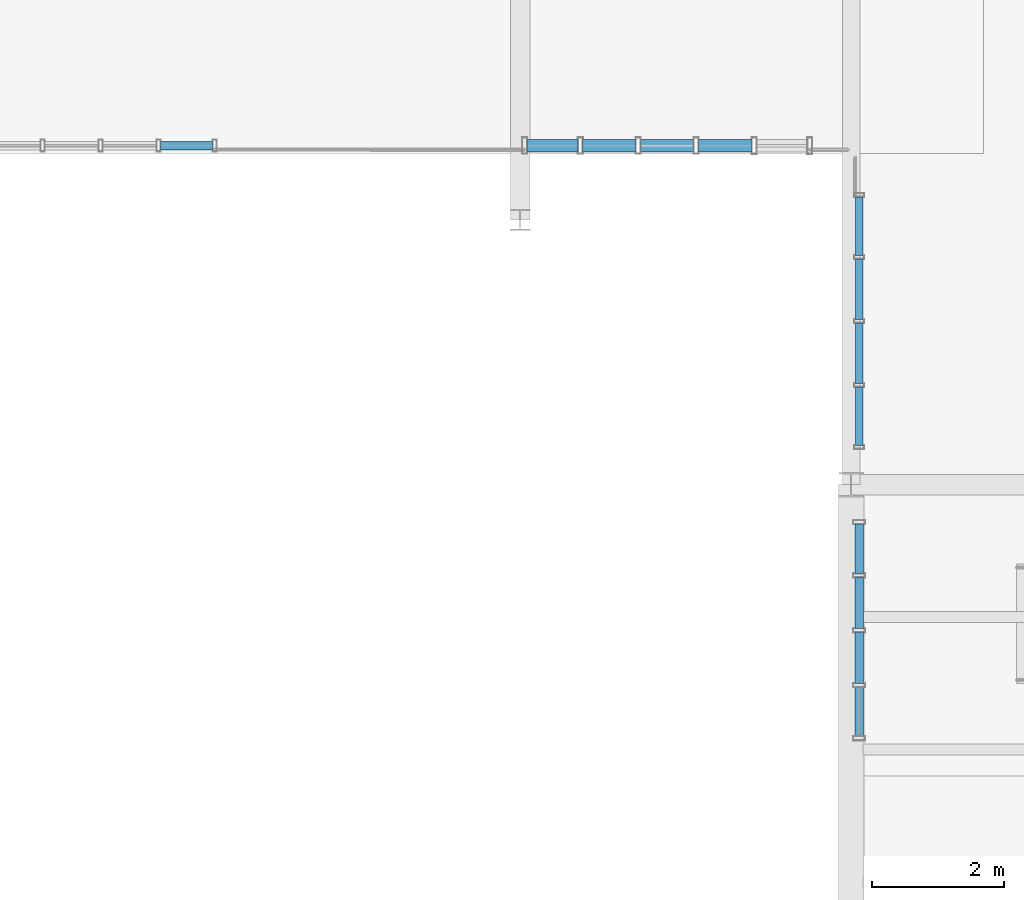
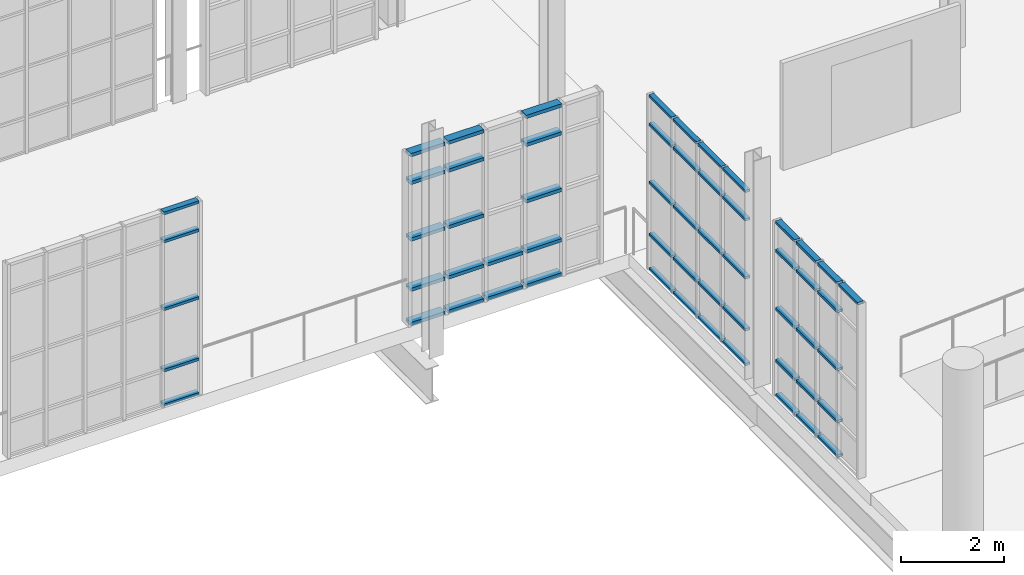
# One storey, part 121 of 189: 58 members, 4 elements without a shape of their own.
"""IFC4 building model written with IfcOpenShell, lengths in metres."""

import ifcopenshell
import ifcopenshell.guid

model = None  # the IFC model being written
_history = None  # IfcOwnerHistory: only IFC2X3 demands one
_inside = {}  # id of a spatial element -> (the spatial element, [elements in it])
_under = {}  # id of a project, library or spatial element -> (it, [spatial elements below it])
_declared = {}  # id of a project -> (the project, [libraries it declares])
_typed = {}  # id of a type object -> (the type object, [elements of that type])
_made_of = {}  # id of a material, layer set ... -> (it, [elements and type objects made of it])


def new_model(schema):
    """Start an empty IFC model of exactly this schema.

    Asked for "IFC4X3", IfcOpenShell would pick the latest addendum, in which some entities
    have other attributes; the version numbers below select the first issue.
    IFC2X3 requires an IfcOwnerHistory on every rooted entity: one is made here for all.
    """
    global model, _history
    if schema == "IFC4X3":
        model = ifcopenshell.file(schema_version=(4, 3, 0, 0))
    else:
        model = ifcopenshell.file(schema=schema)
    _inside.clear()
    _under.clear()
    _declared.clear()
    _typed.clear()
    _made_of.clear()
    _history = None
    if model.schema == "IFC2X3":
        org = make("IfcOrganization", Name="unknown")
        user = make(
            "IfcPersonAndOrganization",
            ThePerson=make("IfcPerson", FamilyName="unknown"),
            TheOrganization=org,
        )
        app = make(
            "IfcApplication",
            ApplicationDeveloper=org,
            Version="unknown",
            ApplicationFullName="unknown",
            ApplicationIdentifier="unknown",
        )
        _history = make(
            "IfcOwnerHistory",
            OwningUser=user,
            OwningApplication=app,
            ChangeAction="ADDED",
            CreationDate=0,
        )
    return model


def make(cls, **values):
    """One entity of the class cls with the attributes given. An attribute that is None is left unset."""
    return model.create_entity(
        cls, **{name: value for name, value in values.items() if value is not None}
    )


def rooted(cls, **values):
    """An entity with a GlobalId (a new one), such as an element, a storey or a relation."""
    return make(cls, GlobalId=ifcopenshell.guid.new(), OwnerHistory=_history, **values)


def si_unit(unit_type, name, prefix=None):
    """IfcSIUnit, for example si_unit("LENGTHUNIT", "METRE", prefix="MILLI")."""
    return make("IfcSIUnit", UnitType=unit_type, Prefix=prefix, Name=name)


def assignment(units):
    """IfcUnitAssignment: the units of a project."""
    return None if units is None else make("IfcUnitAssignment", Units=units)


def point(xyz):
    """IfcCartesianPoint."""
    return None if xyz is None else make("IfcCartesianPoint", Coordinates=xyz)


def direction(xyz):
    """IfcDirection."""
    return None if xyz is None else make("IfcDirection", DirectionRatios=xyz)


def frame(location, z_axis=None, x_axis=None):
    """IfcAxis2Placement3D, a coordinate frame: its origin and axes. An axis left out is left unset."""
    return make(
        "IfcAxis2Placement3D",
        Location=point(location),
        Axis=direction(z_axis),
        RefDirection=direction(x_axis),
    )


def frame_2d(location, x_axis=None):
    """IfcAxis2Placement2D, a coordinate frame in the plane: its origin and x axis."""
    return make(
        "IfcAxis2Placement2D", Location=point(location), RefDirection=direction(x_axis)
    )


def origin():
    """The frame at (0, 0, 0) with its axes left unset."""
    return frame((0.0, 0.0, 0.0))


def origin_2d():
    """The frame at (0, 0) in the plane with its x axis left unset."""
    return frame_2d((0.0, 0.0))


def place(relative_to, where):
    """IfcLocalPlacement: puts the frame where relative to a parent placement (None: the world)."""
    return make(
        "IfcLocalPlacement", PlacementRelTo=relative_to, RelativePlacement=where
    )


def context(
    kind, dimensions, precision=None, world=None, true_north=None, identifier=None
):
    """IfcGeometricRepresentationContext, for example the 3D "Model" context."""
    return make(
        "IfcGeometricRepresentationContext",
        ContextIdentifier=identifier,
        ContextType=kind,
        CoordinateSpaceDimension=dimensions,
        Precision=precision,
        WorldCoordinateSystem=world,
        TrueNorth=true_north,
    )


def subcontext(parent, identifier, kind, view, scale=None):
    """IfcGeometricRepresentationSubContext, for example "Body" below "Model"."""
    return make(
        "IfcGeometricRepresentationSubContext",
        ContextIdentifier=identifier,
        ContextType=kind,
        ParentContext=parent,
        TargetScale=scale,
        TargetView=view,
    )


def project(units=None, contexts=None):
    """IfcProject with its units and contexts."""
    return rooted(
        "IfcProject",
        Name="project",
        RepresentationContexts=contexts,
        UnitsInContext=assignment(units),
    )


def spatial(cls, under=None, at=None, **own):
    """A site, building, storey or space (cls), placed at a placement, below another one or the project."""
    s = rooted(cls, ObjectPlacement=at, **own)
    if under is not None:
        _under.setdefault(under.id(), (under, []))[1].append(s)
    return s


def profile(cls, at=None, kind="AREA", **sizes):
    """A parametric profile (cls). Its sizes go by their IFC names, for example OverallWidth=200.0."""
    return make(cls, ProfileType=kind, Position=at, **sizes)


def hollow_rectangle(**sizes):
    """IfcRectangleHollowProfileDef."""
    return profile("IfcRectangleHollowProfileDef", **sizes)


def extrude(swept, where, along, depth):
    """IfcExtrudedAreaSolid: the profile swept, set in the frame where, extruded along a direction by depth."""
    return make(
        "IfcExtrudedAreaSolid",
        SweptArea=swept,
        Position=where,
        ExtrudedDirection=direction(along),
        Depth=depth,
    )


def shape(context_of_items, identifier, shape_type, items):
    """IfcShapeRepresentation: the items that make up one representation, for example the "Body"."""
    return make(
        "IfcShapeRepresentation",
        ContextOfItems=context_of_items,
        RepresentationIdentifier=identifier,
        RepresentationType=shape_type,
        Items=items,
    )


def material(Name=None, Category=None):
    """IfcMaterial."""
    return make("IfcMaterial", Name=Name, Category=Category)


def layer(
    of_material, thickness, ventilated=None, Name=None, Category=None, Priority=None
):
    """IfcMaterialLayer: one layer of a wall or slab, of a material (None: an air gap)."""
    return make(
        "IfcMaterialLayer",
        Material=of_material,
        LayerThickness=thickness,
        IsVentilated=ventilated,
        Name=Name,
        Category=Category,
        Priority=Priority,
    )


def layer_set(layers, Name=None):
    """IfcMaterialLayerSet."""
    return make("IfcMaterialLayerSet", MaterialLayers=layers, LayerSetName=Name)


def material_profile(
    of_material, cross_section, Name=None, Category=None, Priority=None
):
    """IfcMaterialProfile: a cross section and its material."""
    return make(
        "IfcMaterialProfile",
        Name=Name,
        Material=of_material,
        Profile=cross_section,
        Priority=Priority,
        Category=Category,
    )


def profile_set(profiles, Name=None, composite=None):
    """IfcMaterialProfileSet."""
    return make(
        "IfcMaterialProfileSet",
        Name=Name,
        MaterialProfiles=profiles,
        CompositeProfile=composite,
    )


def made_of(thing, what):
    """Note that an element or type object is made of a material, layer set ...; save() writes the relation."""
    if what is not None:
        _made_of.setdefault(what.id(), (what, []))[1].append(thing)
    return thing


def type_object(cls, material=None, **own):
    """A type object (cls), such as IfcWallType, which elements share."""
    return made_of(rooted(cls, **own), material)


def element(
    cls,
    number,
    at=None,
    inside=None,
    cuts=None,
    type_object=None,
    material=None,
    context=None,
    identifier="Body",
    shape_type=None,
    held_by="IfcProductDefinitionShape",
    body=None,
    shapes=None,
    **own,
):
    """One element of the class cls, such as IfcWall. Its Tag is "e" and its number.

    at: its placement. inside: the storey or other place that contains it. cuts: it is an
    opening in that element (IfcRelVoidsElement). A single representation is given by context,
    identifier, shape_type and body (its items); several are given by shapes. held_by: the class
    of the entity that holds the representations. save() writes the other relations.
    """
    e = rooted(cls, Tag="e%d" % number, ObjectPlacement=at, **own)
    if body is not None:
        shapes = [shape(context, identifier, shape_type, body)]
    if shapes is not None:
        e.Representation = make(held_by, Representations=shapes)
    if inside is not None:
        _inside.setdefault(inside.id(), (inside, []))[1].append(e)
    if cuts is not None:
        rooted(
            "IfcRelVoidsElement", RelatingBuildingElement=cuts, RelatedOpeningElement=e
        )
    if type_object is not None:
        _typed.setdefault(type_object.id(), (type_object, []))[1].append(e)
    return made_of(e, material)


def aggregate(whole, parts):
    """IfcRelAggregates: a whole, such as a stair, and the parts it consists of."""
    return rooted("IfcRelAggregates", RelatingObject=whole, RelatedObjects=parts)


def save(model, path):
    """Write the relations noted so far, then the file.

    IfcRelAggregates (storeys below a building ...), IfcRelContainedInSpatialStructure (elements
    in a storey), IfcRelDefinesByType, IfcRelAssociatesMaterial and IfcRelDeclares: one each for
    every whole, place, type object, material and project.
    """
    for whole, parts in _under.values():
        aggregate(whole, parts)
    for where, things in _inside.values():
        rooted(
            "IfcRelContainedInSpatialStructure",
            RelatedElements=things,
            RelatingStructure=where,
        )
    for kind, things in _typed.values():
        rooted("IfcRelDefinesByType", RelatedObjects=things, RelatingType=kind)
    for what, things in _made_of.values():
        rooted("IfcRelAssociatesMaterial", RelatedObjects=things, RelatingMaterial=what)
    for by, libraries in _declared.values():
        rooted("IfcRelDeclares", RelatingContext=by, RelatedDefinitions=libraries)
    model.write(path)


model = new_model("IFC4")

# Units and contexts
model_context = context("Model", 3, precision=1e-05, world=origin(), true_north=direction((0.0, 1.0)))
body_context = subcontext(model_context, "Body", "Model", "MODEL_VIEW")
ifc_project = project(units=[si_unit("LENGTHUNIT", "METRE"), si_unit("AREAUNIT", "SQUARE_METRE"), si_unit("VOLUMEUNIT", "CUBIC_METRE"), si_unit("PLANEANGLEUNIT", "RADIAN"), si_unit("MASSUNIT", "GRAM", prefix="KILO"), si_unit("THERMODYNAMICTEMPERATUREUNIT", "KELVIN"), si_unit("POWERUNIT", "WATT")], contexts=[model_context])

# Site, building, storey
site_placement = place(None, origin())
site = spatial("IfcSite", under=ifc_project, at=site_placement, CompositionType="ELEMENT")
building_placement = place(site_placement, origin())
building = spatial("IfcBuilding", under=site, at=building_placement, Name="Zelmaris Science Centre", CompositionType="ELEMENT")
storey_placement = place(building_placement, origin())
storey = spatial("IfcBuildingStorey", under=building, at=storey_placement, Name="L00", CompositionType="ELEMENT", Elevation=0.0)

# Curtain wall, members
ifc_material = material(Name="Anodised architectural aluminium 6063-T6", Category="aluminium")
ifc_layer_1 = layer(ifc_material, 0.219970703125, Name="Anodised architectural aluminium 6063-T6")
ifc_layer_set_1 = layer_set([ifc_layer_1], Name="Anodised architectural aluminium 6063-T6")
curtain_wall_type_1 = type_object("IfcCurtainWallType", Name="Curtain Wall CW-04", PredefinedType="USERDEFINED", material=ifc_layer_set_1)
curtain_wall_1_placement = place(storey_placement, origin())
curtain_wall_1 = element("IfcCurtainWall", 1, at=curtain_wall_1_placement, inside=storey, type_object=curtain_wall_type_1, Name="L00 Unitised curtain wall 112", ObjectType="GLAZED CURTAIN WALL", PredefinedType="USERDEFINED")
ifc_material_profile_1 = material_profile(ifc_material, hollow_rectangle(XDim=0.06005859375, YDim=0.110107421875, WallThickness=0.0029296875, at=origin_2d()), Name="ALU-TRN-60X110")
ifc_profile_set_1 = profile_set([ifc_material_profile_1], Name="Anodised architectural aluminium 6063-T6")
member_type_1 = type_object("IfcMemberType", Name="ALU-TRN-60X110", PredefinedType="USERDEFINED", material=ifc_profile_set_1)
member_1_placement = place(storey_placement, frame((108.1201171875, 16.592041015625, 0.010986328125), z_axis=(0.0, 1.0, 0.0), x_axis=(0.0, 0.0, 1.0)))
member_1 = element("IfcMember", 2, at=member_1_placement, type_object=member_type_1, Name="CW-04 transom 1.1", ObjectType="TRANSOM", PredefinedType="USERDEFINED", context=body_context, shape_type="SweptSolid", body=[
    extrude(hollow_rectangle(XDim=0.06005859375, YDim=0.110107421875, WallThickness=0.0029296875, at=origin_2d()), origin(), (0.0, 0.0, 1.0), 0.886962890625),
])
member_2_placement = place(storey_placement, frame((108.1201171875, 16.592041015625, 0.8349609375), z_axis=(0.0, 1.0, 0.0), x_axis=(0.0, 0.0, 1.0)))
member_2 = element("IfcMember", 3, at=member_2_placement, type_object=member_type_1, Name="CW-04 transom 1.2", ObjectType="TRANSOM", PredefinedType="USERDEFINED", context=body_context, shape_type="SweptSolid", body=[
    extrude(hollow_rectangle(XDim=0.06005859375, YDim=0.110107421875, WallThickness=0.0029296875, at=origin_2d()), origin(), (0.0, 0.0, 1.0), 0.886962890625),
])
member_3_placement = place(storey_placement, frame((108.1201171875, 16.592041015625, 2.069091796875), z_axis=(0.0, 1.0, 0.0), x_axis=(0.0, 0.0, 1.0)))
member_3 = element("IfcMember", 4, at=member_3_placement, type_object=member_type_1, Name="CW-04 transom 1.3", ObjectType="TRANSOM", PredefinedType="USERDEFINED", context=body_context, shape_type="SweptSolid", body=[
    extrude(hollow_rectangle(XDim=0.06005859375, YDim=0.110107421875, WallThickness=0.0029296875, at=origin_2d()), origin(), (0.0, 0.0, 1.0), 0.886962890625),
])
member_4_placement = place(storey_placement, frame((108.1201171875, 16.592041015625, 3.452880859375), z_axis=(0.0, 1.0, 0.0), x_axis=(0.0, 0.0, 1.0)))
member_4 = element("IfcMember", 5, at=member_4_placement, type_object=member_type_1, Name="CW-04 transom 1.4", ObjectType="TRANSOM", PredefinedType="USERDEFINED", context=body_context, shape_type="SweptSolid", body=[
    extrude(hollow_rectangle(XDim=0.06005859375, YDim=0.110107421875, WallThickness=0.0029296875, at=origin_2d()), origin(), (0.0, 0.0, 1.0), 0.886962890625),
])
member_5_placement = place(storey_placement, frame((108.1201171875, 16.592041015625, 4.126953125), z_axis=(0.0, 1.0, 0.0), x_axis=(0.0, 0.0, 1.0)))
member_5 = element("IfcMember", 6, at=member_5_placement, type_object=member_type_1, Name="CW-04 transom 1.5", ObjectType="TRANSOM", PredefinedType="USERDEFINED", context=body_context, shape_type="SweptSolid", body=[
    extrude(hollow_rectangle(XDim=0.06005859375, YDim=0.110107421875, WallThickness=0.0029296875, at=origin_2d()), origin(), (0.0, 0.0, 1.0), 0.886962890625),
])
member_6_placement = place(storey_placement, frame((108.1201171875, 17.531005859375, 0.010986328125), z_axis=(0.0, 1.0, 0.0), x_axis=(0.0, 0.0, 1.0)))
member_6 = element("IfcMember", 7, at=member_6_placement, type_object=member_type_1, Name="CW-04 transom 2.1", ObjectType="TRANSOM", PredefinedType="USERDEFINED", context=body_context, shape_type="SweptSolid", body=[
    extrude(hollow_rectangle(XDim=0.06005859375, YDim=0.110107421875, WallThickness=0.0029296875, at=origin_2d()), origin(), (0.0, 0.0, 1.0), 0.9130859375),
])
member_7_placement = place(storey_placement, frame((108.1201171875, 17.531005859375, 0.8349609375), z_axis=(0.0, 1.0, 0.0), x_axis=(0.0, 0.0, 1.0)))
member_7 = element("IfcMember", 8, at=member_7_placement, type_object=member_type_1, Name="CW-04 transom 2.2", ObjectType="TRANSOM", PredefinedType="USERDEFINED", context=body_context, shape_type="SweptSolid", body=[
    extrude(hollow_rectangle(XDim=0.06005859375, YDim=0.110107421875, WallThickness=0.0029296875, at=origin_2d()), origin(), (0.0, 0.0, 1.0), 0.9130859375),
])
member_8_placement = place(storey_placement, frame((108.1201171875, 17.531005859375, 2.069091796875), z_axis=(0.0, 1.0, 0.0), x_axis=(0.0, 0.0, 1.0)))
member_8 = element("IfcMember", 9, at=member_8_placement, type_object=member_type_1, Name="CW-04 transom 2.3", ObjectType="TRANSOM", PredefinedType="USERDEFINED", context=body_context, shape_type="SweptSolid", body=[
    extrude(hollow_rectangle(XDim=0.06005859375, YDim=0.110107421875, WallThickness=0.0029296875, at=origin_2d()), origin(), (0.0, 0.0, 1.0), 0.9130859375),
])
member_9_placement = place(storey_placement, frame((108.1201171875, 17.531005859375, 3.452880859375), z_axis=(0.0, 1.0, 0.0), x_axis=(0.0, 0.0, 1.0)))
member_9 = element("IfcMember", 10, at=member_9_placement, type_object=member_type_1, Name="CW-04 transom 2.4", ObjectType="TRANSOM", PredefinedType="USERDEFINED", context=body_context, shape_type="SweptSolid", body=[
    extrude(hollow_rectangle(XDim=0.06005859375, YDim=0.110107421875, WallThickness=0.0029296875, at=origin_2d()), origin(), (0.0, 0.0, 1.0), 0.9130859375),
])
member_10_placement = place(storey_placement, frame((108.1201171875, 17.531005859375, 4.126953125), z_axis=(0.0, 1.0, 0.0), x_axis=(0.0, 0.0, 1.0)))
member_10 = element("IfcMember", 11, at=member_10_placement, type_object=member_type_1, Name="CW-04 transom 2.5", ObjectType="TRANSOM", PredefinedType="USERDEFINED", context=body_context, shape_type="SweptSolid", body=[
    extrude(hollow_rectangle(XDim=0.06005859375, YDim=0.110107421875, WallThickness=0.0029296875, at=origin_2d()), origin(), (0.0, 0.0, 1.0), 0.9130859375),
])
member_11_placement = place(storey_placement, frame((108.1201171875, 18.49609375, 0.010986328125), z_axis=(0.0, 1.0, 0.0), x_axis=(0.0, 0.0, 1.0)))
member_11 = element("IfcMember", 12, at=member_11_placement, type_object=member_type_1, Name="CW-04 transom 3.1", ObjectType="TRANSOM", PredefinedType="USERDEFINED", context=body_context, shape_type="SweptSolid", body=[
    extrude(hollow_rectangle(XDim=0.06005859375, YDim=0.110107421875, WallThickness=0.0029296875, at=origin_2d()), origin(), (0.0, 0.0, 1.0), 0.912841796875),
])
member_12_placement = place(storey_placement, frame((108.1201171875, 18.49609375, 0.8349609375), z_axis=(0.0, 1.0, 0.0), x_axis=(0.0, 0.0, 1.0)))
member_12 = element("IfcMember", 13, at=member_12_placement, type_object=member_type_1, Name="CW-04 transom 3.2", ObjectType="TRANSOM", PredefinedType="USERDEFINED", context=body_context, shape_type="SweptSolid", body=[
    extrude(hollow_rectangle(XDim=0.06005859375, YDim=0.110107421875, WallThickness=0.0029296875, at=origin_2d()), origin(), (0.0, 0.0, 1.0), 0.912841796875),
])
member_13_placement = place(storey_placement, frame((108.1201171875, 18.49609375, 2.069091796875), z_axis=(0.0, 1.0, 0.0), x_axis=(0.0, 0.0, 1.0)))
member_13 = element("IfcMember", 14, at=member_13_placement, type_object=member_type_1, Name="CW-04 transom 3.3", ObjectType="TRANSOM", PredefinedType="USERDEFINED", context=body_context, shape_type="SweptSolid", body=[
    extrude(hollow_rectangle(XDim=0.06005859375, YDim=0.110107421875, WallThickness=0.0029296875, at=origin_2d()), origin(), (0.0, 0.0, 1.0), 0.912841796875),
])
member_14_placement = place(storey_placement, frame((108.1201171875, 18.49609375, 3.452880859375), z_axis=(0.0, 1.0, 0.0), x_axis=(0.0, 0.0, 1.0)))
member_14 = element("IfcMember", 15, at=member_14_placement, type_object=member_type_1, Name="CW-04 transom 3.4", ObjectType="TRANSOM", PredefinedType="USERDEFINED", context=body_context, shape_type="SweptSolid", body=[
    extrude(hollow_rectangle(XDim=0.06005859375, YDim=0.110107421875, WallThickness=0.0029296875, at=origin_2d()), origin(), (0.0, 0.0, 1.0), 0.912841796875),
])
member_15_placement = place(storey_placement, frame((108.1201171875, 18.49609375, 4.126953125), z_axis=(0.0, 1.0, 0.0), x_axis=(0.0, 0.0, 1.0)))
member_15 = element("IfcMember", 16, at=member_15_placement, type_object=member_type_1, Name="CW-04 transom 3.5", ObjectType="TRANSOM", PredefinedType="USERDEFINED", context=body_context, shape_type="SweptSolid", body=[
    extrude(hollow_rectangle(XDim=0.06005859375, YDim=0.110107421875, WallThickness=0.0029296875, at=origin_2d()), origin(), (0.0, 0.0, 1.0), 0.912841796875),
])
member_16_placement = place(storey_placement, frame((108.1201171875, 19.4609375, 0.010986328125), z_axis=(0.0, 1.0, 0.0), x_axis=(0.0, 0.0, 1.0)))
member_16 = element("IfcMember", 17, at=member_16_placement, type_object=member_type_1, Name="CW-04 transom 4.1", ObjectType="TRANSOM", PredefinedType="USERDEFINED", context=body_context, shape_type="SweptSolid", body=[
    extrude(hollow_rectangle(XDim=0.06005859375, YDim=0.110107421875, WallThickness=0.0029296875, at=origin_2d()), origin(), (0.0, 0.0, 1.0), 0.886962890625),
])
member_17_placement = place(storey_placement, frame((108.1201171875, 19.4609375, 0.8349609375), z_axis=(0.0, 1.0, 0.0), x_axis=(0.0, 0.0, 1.0)))
member_17 = element("IfcMember", 18, at=member_17_placement, type_object=member_type_1, Name="CW-04 transom 4.2", ObjectType="TRANSOM", PredefinedType="USERDEFINED", context=body_context, shape_type="SweptSolid", body=[
    extrude(hollow_rectangle(XDim=0.06005859375, YDim=0.110107421875, WallThickness=0.0029296875, at=origin_2d()), origin(), (0.0, 0.0, 1.0), 0.886962890625),
])
member_18_placement = place(storey_placement, frame((108.1201171875, 19.4609375, 2.069091796875), z_axis=(0.0, 1.0, 0.0), x_axis=(0.0, 0.0, 1.0)))
member_18 = element("IfcMember", 19, at=member_18_placement, type_object=member_type_1, Name="CW-04 transom 4.3", ObjectType="TRANSOM", PredefinedType="USERDEFINED", context=body_context, shape_type="SweptSolid", body=[
    extrude(hollow_rectangle(XDim=0.06005859375, YDim=0.110107421875, WallThickness=0.0029296875, at=origin_2d()), origin(), (0.0, 0.0, 1.0), 0.886962890625),
])
member_19_placement = place(storey_placement, frame((108.1201171875, 19.4609375, 3.452880859375), z_axis=(0.0, 1.0, 0.0), x_axis=(0.0, 0.0, 1.0)))
member_19 = element("IfcMember", 20, at=member_19_placement, type_object=member_type_1, Name="CW-04 transom 4.4", ObjectType="TRANSOM", PredefinedType="USERDEFINED", context=body_context, shape_type="SweptSolid", body=[
    extrude(hollow_rectangle(XDim=0.06005859375, YDim=0.110107421875, WallThickness=0.0029296875, at=origin_2d()), origin(), (0.0, 0.0, 1.0), 0.886962890625),
])
member_20_placement = place(storey_placement, frame((108.1201171875, 19.4609375, 4.126953125), z_axis=(0.0, 1.0, 0.0), x_axis=(0.0, 0.0, 1.0)))
member_20 = element("IfcMember", 21, at=member_20_placement, type_object=member_type_1, Name="CW-04 transom 4.5", ObjectType="TRANSOM", PredefinedType="USERDEFINED", context=body_context, shape_type="SweptSolid", body=[
    extrude(hollow_rectangle(XDim=0.06005859375, YDim=0.110107421875, WallThickness=0.0029296875, at=origin_2d()), origin(), (0.0, 0.0, 1.0), 0.886962890625),
])
aggregate(curtain_wall_1, [member_1, member_2, member_3, member_4, member_5, member_6, member_7, member_8, member_9, member_10, member_11, member_12, member_13, member_14, member_15, member_16, member_17, member_18, member_19, member_20])

ifc_layer_2 = layer(ifc_material, 0.2099609375, Name="Anodised architectural aluminium 6063-T6")
ifc_layer_set_2 = layer_set([ifc_layer_2], Name="Anodised architectural aluminium 6063-T6")
curtain_wall_type_2 = type_object("IfcCurtainWallType", Name="Curtain Wall CW-03", PredefinedType="USERDEFINED", material=ifc_layer_set_2)
curtain_wall_2_placement = place(storey_placement, origin())
curtain_wall_2 = element("IfcCurtainWall", 22, at=curtain_wall_2_placement, inside=storey, type_object=curtain_wall_type_2, Name="L00 Unitised curtain wall 111", ObjectType="GLAZED CURTAIN WALL", PredefinedType="USERDEFINED")
ifc_material_profile_2 = material_profile(ifc_material, hollow_rectangle(XDim=0.06494140625, YDim=0.1298828125, WallThickness=0.00341796875, at=origin_2d()), Name="ALU-TRN-65X130")
ifc_profile_set_2 = profile_set([ifc_material_profile_2], Name="Anodised architectural aluminium 6063-T6")
member_type_2 = type_object("IfcMemberType", Name="ALU-TRN-65X130", PredefinedType="USERDEFINED", material=ifc_profile_set_2)
member_21_placement = place(storey_placement, frame((108.1201171875, 12.197021484375, 4.12451171875), z_axis=(0.0, 1.0, 0.0), x_axis=(0.0, 0.0, 1.0)))
member_21 = element("IfcMember", 23, at=member_21_placement, type_object=member_type_2, Name="CW-03 transom 1.5", ObjectType="TRANSOM", PredefinedType="USERDEFINED", context=body_context, shape_type="SweptSolid", body=[
    extrude(hollow_rectangle(XDim=0.06494140625, YDim=0.1298828125, WallThickness=0.00341796875, at=origin_2d()), origin(), (0.0, 0.0, 1.0), 0.74462890625),
])
member_22_placement = place(storey_placement, frame((108.1201171875, 12.99853515625, 0.013427734375), z_axis=(0.0, 1.0, 0.0), x_axis=(0.0, 0.0, 1.0)))
member_22 = element("IfcMember", 24, at=member_22_placement, type_object=member_type_2, Name="CW-03 transom 2.1", ObjectType="TRANSOM", PredefinedType="USERDEFINED", context=body_context, shape_type="SweptSolid", body=[
    extrude(hollow_rectangle(XDim=0.06494140625, YDim=0.1298828125, WallThickness=0.00341796875, at=origin_2d()), origin(), (0.0, 0.0, 1.0), 0.77294921875),
])
member_23_placement = place(storey_placement, frame((108.1201171875, 12.99853515625, 0.8349609375), z_axis=(0.0, 1.0, 0.0), x_axis=(0.0, 0.0, 1.0)))
member_23 = element("IfcMember", 25, at=member_23_placement, type_object=member_type_2, Name="CW-03 transom 2.2", ObjectType="TRANSOM", PredefinedType="USERDEFINED", context=body_context, shape_type="SweptSolid", body=[
    extrude(hollow_rectangle(XDim=0.06494140625, YDim=0.1298828125, WallThickness=0.00341796875, at=origin_2d()), origin(), (0.0, 0.0, 1.0), 0.77294921875),
])
member_24_placement = place(storey_placement, frame((108.1201171875, 12.99853515625, 2.069091796875), z_axis=(0.0, 1.0, 0.0), x_axis=(0.0, 0.0, 1.0)))
member_24 = element("IfcMember", 26, at=member_24_placement, type_object=member_type_2, Name="CW-03 transom 2.3", ObjectType="TRANSOM", PredefinedType="USERDEFINED", context=body_context, shape_type="SweptSolid", body=[
    extrude(hollow_rectangle(XDim=0.06494140625, YDim=0.1298828125, WallThickness=0.00341796875, at=origin_2d()), origin(), (0.0, 0.0, 1.0), 0.77294921875),
])
member_25_placement = place(storey_placement, frame((108.1201171875, 12.99853515625, 3.452880859375), z_axis=(0.0, 1.0, 0.0), x_axis=(0.0, 0.0, 1.0)))
member_25 = element("IfcMember", 27, at=member_25_placement, type_object=member_type_2, Name="CW-03 transom 2.4", ObjectType="TRANSOM", PredefinedType="USERDEFINED", context=body_context, shape_type="SweptSolid", body=[
    extrude(hollow_rectangle(XDim=0.06494140625, YDim=0.1298828125, WallThickness=0.00341796875, at=origin_2d()), origin(), (0.0, 0.0, 1.0), 0.77294921875),
])
member_26_placement = place(storey_placement, frame((108.1201171875, 12.99853515625, 4.12451171875), z_axis=(0.0, 1.0, 0.0), x_axis=(0.0, 0.0, 1.0)))
member_26 = element("IfcMember", 28, at=member_26_placement, type_object=member_type_2, Name="CW-03 transom 2.5", ObjectType="TRANSOM", PredefinedType="USERDEFINED", context=body_context, shape_type="SweptSolid", body=[
    extrude(hollow_rectangle(XDim=0.06494140625, YDim=0.1298828125, WallThickness=0.00341796875, at=origin_2d()), origin(), (0.0, 0.0, 1.0), 0.77294921875),
])
member_27_placement = place(storey_placement, frame((108.1201171875, 13.82861328125, 0.013427734375), z_axis=(0.0, 1.0, 0.0), x_axis=(0.0, 0.0, 1.0)))
member_27 = element("IfcMember", 29, at=member_27_placement, type_object=member_type_2, Name="CW-03 transom 3.1", ObjectType="TRANSOM", PredefinedType="USERDEFINED", context=body_context, shape_type="SweptSolid", body=[
    extrude(hollow_rectangle(XDim=0.06494140625, YDim=0.1298828125, WallThickness=0.00341796875, at=origin_2d()), origin(), (0.0, 0.0, 1.0), 0.77294921875),
])
member_28_placement = place(storey_placement, frame((108.1201171875, 13.82861328125, 0.8349609375), z_axis=(0.0, 1.0, 0.0), x_axis=(0.0, 0.0, 1.0)))
member_28 = element("IfcMember", 30, at=member_28_placement, type_object=member_type_2, Name="CW-03 transom 3.2", ObjectType="TRANSOM", PredefinedType="USERDEFINED", context=body_context, shape_type="SweptSolid", body=[
    extrude(hollow_rectangle(XDim=0.06494140625, YDim=0.1298828125, WallThickness=0.00341796875, at=origin_2d()), origin(), (0.0, 0.0, 1.0), 0.77294921875),
])
member_29_placement = place(storey_placement, frame((108.1201171875, 13.82861328125, 2.069091796875), z_axis=(0.0, 1.0, 0.0), x_axis=(0.0, 0.0, 1.0)))
member_29 = element("IfcMember", 31, at=member_29_placement, type_object=member_type_2, Name="CW-03 transom 3.3", ObjectType="TRANSOM", PredefinedType="USERDEFINED", context=body_context, shape_type="SweptSolid", body=[
    extrude(hollow_rectangle(XDim=0.06494140625, YDim=0.1298828125, WallThickness=0.00341796875, at=origin_2d()), origin(), (0.0, 0.0, 1.0), 0.77294921875),
])
member_30_placement = place(storey_placement, frame((108.1201171875, 13.82861328125, 3.452880859375), z_axis=(0.0, 1.0, 0.0), x_axis=(0.0, 0.0, 1.0)))
member_30 = element("IfcMember", 32, at=member_30_placement, type_object=member_type_2, Name="CW-03 transom 3.4", ObjectType="TRANSOM", PredefinedType="USERDEFINED", context=body_context, shape_type="SweptSolid", body=[
    extrude(hollow_rectangle(XDim=0.06494140625, YDim=0.1298828125, WallThickness=0.00341796875, at=origin_2d()), origin(), (0.0, 0.0, 1.0), 0.77294921875),
])
member_31_placement = place(storey_placement, frame((108.1201171875, 13.82861328125, 4.12451171875), z_axis=(0.0, 1.0, 0.0), x_axis=(0.0, 0.0, 1.0)))
member_31 = element("IfcMember", 33, at=member_31_placement, type_object=member_type_2, Name="CW-03 transom 3.5", ObjectType="TRANSOM", PredefinedType="USERDEFINED", context=body_context, shape_type="SweptSolid", body=[
    extrude(hollow_rectangle(XDim=0.06494140625, YDim=0.1298828125, WallThickness=0.00341796875, at=origin_2d()), origin(), (0.0, 0.0, 1.0), 0.77294921875),
])
member_32_placement = place(storey_placement, frame((108.1201171875, 14.658447265625, 0.013427734375), z_axis=(0.0, 1.0, 0.0), x_axis=(0.0, 0.0, 1.0)))
member_32 = element("IfcMember", 34, at=member_32_placement, type_object=member_type_2, Name="CW-03 transom 4.1", ObjectType="TRANSOM", PredefinedType="USERDEFINED", context=body_context, shape_type="SweptSolid", body=[
    extrude(hollow_rectangle(XDim=0.06494140625, YDim=0.1298828125, WallThickness=0.00341796875, at=origin_2d()), origin(), (0.0, 0.0, 1.0), 0.74462890625),
])
member_33_placement = place(storey_placement, frame((108.1201171875, 14.658447265625, 0.8349609375), z_axis=(0.0, 1.0, 0.0), x_axis=(0.0, 0.0, 1.0)))
member_33 = element("IfcMember", 35, at=member_33_placement, type_object=member_type_2, Name="CW-03 transom 4.2", ObjectType="TRANSOM", PredefinedType="USERDEFINED", context=body_context, shape_type="SweptSolid", body=[
    extrude(hollow_rectangle(XDim=0.06494140625, YDim=0.1298828125, WallThickness=0.00341796875, at=origin_2d()), origin(), (0.0, 0.0, 1.0), 0.74462890625),
])
member_34_placement = place(storey_placement, frame((108.1201171875, 14.658447265625, 2.069091796875), z_axis=(0.0, 1.0, 0.0), x_axis=(0.0, 0.0, 1.0)))
member_34 = element("IfcMember", 36, at=member_34_placement, type_object=member_type_2, Name="CW-03 transom 4.3", ObjectType="TRANSOM", PredefinedType="USERDEFINED", context=body_context, shape_type="SweptSolid", body=[
    extrude(hollow_rectangle(XDim=0.06494140625, YDim=0.1298828125, WallThickness=0.00341796875, at=origin_2d()), origin(), (0.0, 0.0, 1.0), 0.74462890625),
])
member_35_placement = place(storey_placement, frame((108.1201171875, 14.658447265625, 3.452880859375), z_axis=(0.0, 1.0, 0.0), x_axis=(0.0, 0.0, 1.0)))
member_35 = element("IfcMember", 37, at=member_35_placement, type_object=member_type_2, Name="CW-03 transom 4.4", ObjectType="TRANSOM", PredefinedType="USERDEFINED", context=body_context, shape_type="SweptSolid", body=[
    extrude(hollow_rectangle(XDim=0.06494140625, YDim=0.1298828125, WallThickness=0.00341796875, at=origin_2d()), origin(), (0.0, 0.0, 1.0), 0.74462890625),
])
member_36_placement = place(storey_placement, frame((108.1201171875, 14.658447265625, 4.12451171875), z_axis=(0.0, 1.0, 0.0), x_axis=(0.0, 0.0, 1.0)))
member_36 = element("IfcMember", 38, at=member_36_placement, type_object=member_type_2, Name="CW-03 transom 4.5", ObjectType="TRANSOM", PredefinedType="USERDEFINED", context=body_context, shape_type="SweptSolid", body=[
    extrude(hollow_rectangle(XDim=0.06494140625, YDim=0.1298828125, WallThickness=0.00341796875, at=origin_2d()), origin(), (0.0, 0.0, 1.0), 0.74462890625),
])
aggregate(curtain_wall_2, [member_21, member_22, member_23, member_24, member_25, member_26, member_27, member_28, member_29, member_30, member_31, member_32, member_33, member_34, member_35, member_36])

curtain_wall_3_placement = place(storey_placement, origin())
curtain_wall_3 = element("IfcCurtainWall", 39, at=curtain_wall_3_placement, inside=storey, type_object=curtain_wall_type_2, Name="L00 Unitised curtain wall 115", ObjectType="GLAZED CURTAIN WALL", PredefinedType="USERDEFINED")
member_37_placement = place(storey_placement, frame((98.3603515625, 21.11962890625, 0.013427734375), z_axis=(-0.999999952252, 0.000309023471, 0.0), x_axis=(0.0, 0.0, 1.0)))
member_37 = element("IfcMember", 40, at=member_37_placement, type_object=member_type_2, Name="CW-03 transom 1.1", ObjectType="TRANSOM", PredefinedType="USERDEFINED", context=body_context, shape_type="SweptSolid", body=[
    extrude(hollow_rectangle(XDim=0.06494140625, YDim=0.1298828125, WallThickness=0.00341796875, at=origin_2d()), origin(), (0.0, 0.0, 1.0), 0.7900390625),
])
member_38_placement = place(storey_placement, frame((98.3603515625, 21.11962890625, 0.8349609375), z_axis=(-0.999999952252, 0.000309023471, 0.0), x_axis=(0.0, 0.0, 1.0)))
member_38 = element("IfcMember", 41, at=member_38_placement, type_object=member_type_2, Name="CW-03 transom 1.2", ObjectType="TRANSOM", PredefinedType="USERDEFINED", context=body_context, shape_type="SweptSolid", body=[
    extrude(hollow_rectangle(XDim=0.06494140625, YDim=0.1298828125, WallThickness=0.00341796875, at=origin_2d()), origin(), (0.0, 0.0, 1.0), 0.7900390625),
])
member_39_placement = place(storey_placement, frame((98.3603515625, 21.11962890625, 2.29248046875), z_axis=(-0.999999952252, 0.000309023471, 0.0), x_axis=(0.0, 0.0, 1.0)))
member_39 = element("IfcMember", 42, at=member_39_placement, type_object=member_type_2, Name="CW-03 transom 1.3", ObjectType="TRANSOM", PredefinedType="USERDEFINED", context=body_context, shape_type="SweptSolid", body=[
    extrude(hollow_rectangle(XDim=0.06494140625, YDim=0.1298828125, WallThickness=0.00341796875, at=origin_2d()), origin(), (0.0, 0.0, 1.0), 0.7900390625),
])
member_40_placement = place(storey_placement, frame((98.3603515625, 21.11962890625, 3.89990234375), z_axis=(-0.999999952252, 0.000309023471, 0.0), x_axis=(0.0, 0.0, 1.0)))
member_40 = element("IfcMember", 43, at=member_40_placement, type_object=member_type_2, Name="CW-03 transom 1.4", ObjectType="TRANSOM", PredefinedType="USERDEFINED", context=body_context, shape_type="SweptSolid", body=[
    extrude(hollow_rectangle(XDim=0.06494140625, YDim=0.1298828125, WallThickness=0.00341796875, at=origin_2d()), origin(), (0.0, 0.0, 1.0), 0.7900390625),
])
member_41_placement = place(storey_placement, frame((98.3603515625, 21.11962890625, 4.571533203125), z_axis=(-0.999999952252, 0.000309023471, 0.0), x_axis=(0.0, 0.0, 1.0)))
member_41 = element("IfcMember", 44, at=member_41_placement, type_object=member_type_2, Name="CW-03 transom 1.5", ObjectType="TRANSOM", PredefinedType="USERDEFINED", context=body_context, shape_type="SweptSolid", body=[
    extrude(hollow_rectangle(XDim=0.06494140625, YDim=0.1298828125, WallThickness=0.00341796875, at=origin_2d()), origin(), (0.0, 0.0, 1.0), 0.7900390625),
])
aggregate(curtain_wall_3, [member_37, member_38, member_39, member_40, member_41])

ifc_layer_3 = layer(ifc_material, 0.18994140625, Name="Anodised architectural aluminium 6063-T6")
ifc_layer_set_3 = layer_set([ifc_layer_3], Name="Anodised architectural aluminium 6063-T6")
curtain_wall_type_3 = type_object("IfcCurtainWallType", Name="Curtain Wall CW-01", PredefinedType="USERDEFINED", material=ifc_layer_set_3)
curtain_wall_4_placement = place(storey_placement, origin())
curtain_wall_4 = element("IfcCurtainWall", 45, at=curtain_wall_4_placement, inside=storey, type_object=curtain_wall_type_3, Name="L00 Unitised curtain wall 113", ObjectType="GLAZED CURTAIN WALL", PredefinedType="USERDEFINED")
ifc_material_profile_3 = material_profile(ifc_material, hollow_rectangle(XDim=0.080078125, YDim=0.18994140625, WallThickness=0.00439453125, at=origin_2d()), Name="ALU-TRN-80X190")
ifc_profile_set_3 = profile_set([ifc_material_profile_3], Name="Anodised architectural aluminium 6063-T6")
member_type_3 = type_object("IfcMemberType", Name="ALU-TRN-80X190", PredefinedType="USERDEFINED", material=ifc_profile_set_3)
member_42_placement = place(storey_placement, frame((106.500244140625, 21.118896484375, 0.02099609375), z_axis=(-0.999999953835, 0.000303858995, 0.0), x_axis=(0.0, 0.0, 1.0)))
member_42 = element("IfcMember", 46, at=member_42_placement, type_object=member_type_3, Name="CW-01 transom 2.1", ObjectType="TRANSOM", PredefinedType="USERDEFINED", context=body_context, shape_type="SweptSolid", body=[
    extrude(hollow_rectangle(XDim=0.080078125, YDim=0.18994140625, WallThickness=0.00439453125, at=origin_2d()), origin(), (0.0, 0.0, 1.0), 0.803466796875),
])
member_43_placement = place(storey_placement, frame((106.500244140625, 21.118896484375, 0.8349609375), z_axis=(-0.999999953835, 0.000303858995, 0.0), x_axis=(0.0, 0.0, 1.0)))
member_43 = element("IfcMember", 47, at=member_43_placement, type_object=member_type_3, Name="CW-01 transom 2.2", ObjectType="TRANSOM", PredefinedType="USERDEFINED", context=body_context, shape_type="SweptSolid", body=[
    extrude(hollow_rectangle(XDim=0.080078125, YDim=0.18994140625, WallThickness=0.00439453125, at=origin_2d()), origin(), (0.0, 0.0, 1.0), 0.803466796875),
])
member_44_placement = place(storey_placement, frame((106.500244140625, 21.118896484375, 2.029541015625), z_axis=(-0.999999953835, 0.000303858995, 0.0), x_axis=(0.0, 0.0, 1.0)))
member_44 = element("IfcMember", 48, at=member_44_placement, type_object=member_type_3, Name="CW-01 transom 2.3", ObjectType="TRANSOM", PredefinedType="USERDEFINED", context=body_context, shape_type="SweptSolid", body=[
    extrude(hollow_rectangle(XDim=0.080078125, YDim=0.18994140625, WallThickness=0.00439453125, at=origin_2d()), origin(), (0.0, 0.0, 1.0), 0.803466796875),
])
member_45_placement = place(storey_placement, frame((106.500244140625, 21.118896484375, 3.3740234375), z_axis=(-0.999999953835, 0.000303858995, 0.0), x_axis=(0.0, 0.0, 1.0)))
member_45 = element("IfcMember", 49, at=member_45_placement, type_object=member_type_3, Name="CW-01 transom 2.4", ObjectType="TRANSOM", PredefinedType="USERDEFINED", context=body_context, shape_type="SweptSolid", body=[
    extrude(hollow_rectangle(XDim=0.080078125, YDim=0.18994140625, WallThickness=0.00439453125, at=origin_2d()), origin(), (0.0, 0.0, 1.0), 0.803466796875),
])
member_46_placement = place(storey_placement, frame((106.500244140625, 21.118896484375, 4.0380859375), z_axis=(-0.999999953835, 0.000303858995, 0.0), x_axis=(0.0, 0.0, 1.0)))
member_46 = element("IfcMember", 50, at=member_46_placement, type_object=member_type_3, Name="CW-01 transom 2.5", ObjectType="TRANSOM", PredefinedType="USERDEFINED", context=body_context, shape_type="SweptSolid", body=[
    extrude(hollow_rectangle(XDim=0.080078125, YDim=0.18994140625, WallThickness=0.00439453125, at=origin_2d()), origin(), (0.0, 0.0, 1.0), 0.803466796875),
])
member_47_placement = place(storey_placement, frame((105.624755859375, 21.119140625, 0.02099609375), z_axis=(-1.0, 0.0, 0.0), x_axis=(0.0, 0.0, 1.0)))
member_47 = element("IfcMember", 51, at=member_47_placement, type_object=member_type_3, Name="CW-01 transom 3.1", ObjectType="TRANSOM", PredefinedType="USERDEFINED", context=body_context, shape_type="SweptSolid", body=[
    extrude(hollow_rectangle(XDim=0.080078125, YDim=0.18994140625, WallThickness=0.00439453125, at=origin_2d()), origin(), (0.0, 0.0, 1.0), 0.803466796875),
])
member_48_placement = place(storey_placement, frame((105.624755859375, 21.119140625, 0.8349609375), z_axis=(-1.0, 0.0, 0.0), x_axis=(0.0, 0.0, 1.0)))
member_48 = element("IfcMember", 52, at=member_48_placement, type_object=member_type_3, Name="CW-01 transom 3.2", ObjectType="TRANSOM", PredefinedType="USERDEFINED", context=body_context, shape_type="SweptSolid", body=[
    extrude(hollow_rectangle(XDim=0.080078125, YDim=0.18994140625, WallThickness=0.00439453125, at=origin_2d()), origin(), (0.0, 0.0, 1.0), 0.803466796875),
])
member_49_placement = place(storey_placement, frame((104.749267578125, 21.119140625, 0.02099609375), z_axis=(-1.0, 0.0, 0.0), x_axis=(0.0, 0.0, 1.0)))
member_49 = element("IfcMember", 53, at=member_49_placement, type_object=member_type_3, Name="CW-01 transom 4.1", ObjectType="TRANSOM", PredefinedType="USERDEFINED", context=body_context, shape_type="SweptSolid", body=[
    extrude(hollow_rectangle(XDim=0.080078125, YDim=0.18994140625, WallThickness=0.00439453125, at=origin_2d()), origin(), (0.0, 0.0, 1.0), 0.80322265625),
])
member_50_placement = place(storey_placement, frame((104.749267578125, 21.119140625, 0.8349609375), z_axis=(-1.0, 0.0, 0.0), x_axis=(0.0, 0.0, 1.0)))
member_50 = element("IfcMember", 54, at=member_50_placement, type_object=member_type_3, Name="CW-01 transom 4.2", ObjectType="TRANSOM", PredefinedType="USERDEFINED", context=body_context, shape_type="SweptSolid", body=[
    extrude(hollow_rectangle(XDim=0.080078125, YDim=0.18994140625, WallThickness=0.00439453125, at=origin_2d()), origin(), (0.0, 0.0, 1.0), 0.80322265625),
])
member_51_placement = place(storey_placement, frame((104.749267578125, 21.119140625, 2.029541015625), z_axis=(-1.0, 0.0, 0.0), x_axis=(0.0, 0.0, 1.0)))
member_51 = element("IfcMember", 55, at=member_51_placement, type_object=member_type_3, Name="CW-01 transom 4.3", ObjectType="TRANSOM", PredefinedType="USERDEFINED", context=body_context, shape_type="SweptSolid", body=[
    extrude(hollow_rectangle(XDim=0.080078125, YDim=0.18994140625, WallThickness=0.00439453125, at=origin_2d()), origin(), (0.0, 0.0, 1.0), 0.80322265625),
])
member_52_placement = place(storey_placement, frame((104.749267578125, 21.119140625, 3.3740234375), z_axis=(-1.0, 0.0, 0.0), x_axis=(0.0, 0.0, 1.0)))
member_52 = element("IfcMember", 56, at=member_52_placement, type_object=member_type_3, Name="CW-01 transom 4.4", ObjectType="TRANSOM", PredefinedType="USERDEFINED", context=body_context, shape_type="SweptSolid", body=[
    extrude(hollow_rectangle(XDim=0.080078125, YDim=0.18994140625, WallThickness=0.00439453125, at=origin_2d()), origin(), (0.0, 0.0, 1.0), 0.80322265625),
])
member_53_placement = place(storey_placement, frame((104.749267578125, 21.119140625, 4.0380859375), z_axis=(-1.0, 0.0, 0.0), x_axis=(0.0, 0.0, 1.0)))
member_53 = element("IfcMember", 57, at=member_53_placement, type_object=member_type_3, Name="CW-01 transom 4.5", ObjectType="TRANSOM", PredefinedType="USERDEFINED", context=body_context, shape_type="SweptSolid", body=[
    extrude(hollow_rectangle(XDim=0.080078125, YDim=0.18994140625, WallThickness=0.00439453125, at=origin_2d()), origin(), (0.0, 0.0, 1.0), 0.80322265625),
])
member_54_placement = place(storey_placement, frame((103.8740234375, 21.119140625, 0.02099609375), z_axis=(-0.999999949417, 0.000318066142, 0.0), x_axis=(0.0, 0.0, 1.0)))
member_54 = element("IfcMember", 58, at=member_54_placement, type_object=member_type_3, Name="CW-01 transom 5.1", ObjectType="TRANSOM", PredefinedType="USERDEFINED", context=body_context, shape_type="SweptSolid", body=[
    extrude(hollow_rectangle(XDim=0.080078125, YDim=0.18994140625, WallThickness=0.00439453125, at=origin_2d()), origin(), (0.0, 0.0, 1.0), 0.767578125),
])
member_55_placement = place(storey_placement, frame((103.8740234375, 21.119140625, 0.8349609375), z_axis=(-0.999999949417, 0.000318066142, 0.0), x_axis=(0.0, 0.0, 1.0)))
member_55 = element("IfcMember", 59, at=member_55_placement, type_object=member_type_3, Name="CW-01 transom 5.2", ObjectType="TRANSOM", PredefinedType="USERDEFINED", context=body_context, shape_type="SweptSolid", body=[
    extrude(hollow_rectangle(XDim=0.080078125, YDim=0.18994140625, WallThickness=0.00439453125, at=origin_2d()), origin(), (0.0, 0.0, 1.0), 0.767578125),
])
member_56_placement = place(storey_placement, frame((103.8740234375, 21.119140625, 2.029541015625), z_axis=(-0.999999949417, 0.000318066142, 0.0), x_axis=(0.0, 0.0, 1.0)))
member_56 = element("IfcMember", 60, at=member_56_placement, type_object=member_type_3, Name="CW-01 transom 5.3", ObjectType="TRANSOM", PredefinedType="USERDEFINED", context=body_context, shape_type="SweptSolid", body=[
    extrude(hollow_rectangle(XDim=0.080078125, YDim=0.18994140625, WallThickness=0.00439453125, at=origin_2d()), origin(), (0.0, 0.0, 1.0), 0.767578125),
])
member_57_placement = place(storey_placement, frame((103.8740234375, 21.119140625, 3.3740234375), z_axis=(-0.999999949417, 0.000318066142, 0.0), x_axis=(0.0, 0.0, 1.0)))
member_57 = element("IfcMember", 61, at=member_57_placement, type_object=member_type_3, Name="CW-01 transom 5.4", ObjectType="TRANSOM", PredefinedType="USERDEFINED", context=body_context, shape_type="SweptSolid", body=[
    extrude(hollow_rectangle(XDim=0.080078125, YDim=0.18994140625, WallThickness=0.00439453125, at=origin_2d()), origin(), (0.0, 0.0, 1.0), 0.767578125),
])
member_58_placement = place(storey_placement, frame((103.8740234375, 21.119140625, 4.0380859375), z_axis=(-0.999999949417, 0.000318066142, 0.0), x_axis=(0.0, 0.0, 1.0)))
member_58 = element("IfcMember", 62, at=member_58_placement, type_object=member_type_3, Name="CW-01 transom 5.5", ObjectType="TRANSOM", PredefinedType="USERDEFINED", context=body_context, shape_type="SweptSolid", body=[
    extrude(hollow_rectangle(XDim=0.080078125, YDim=0.18994140625, WallThickness=0.00439453125, at=origin_2d()), origin(), (0.0, 0.0, 1.0), 0.767578125),
])
aggregate(curtain_wall_4, [member_42, member_43, member_44, member_45, member_46, member_47, member_48, member_49, member_50, member_51, member_52, member_53, member_54, member_55, member_56, member_57, member_58])

save(model, "model.ifc")
